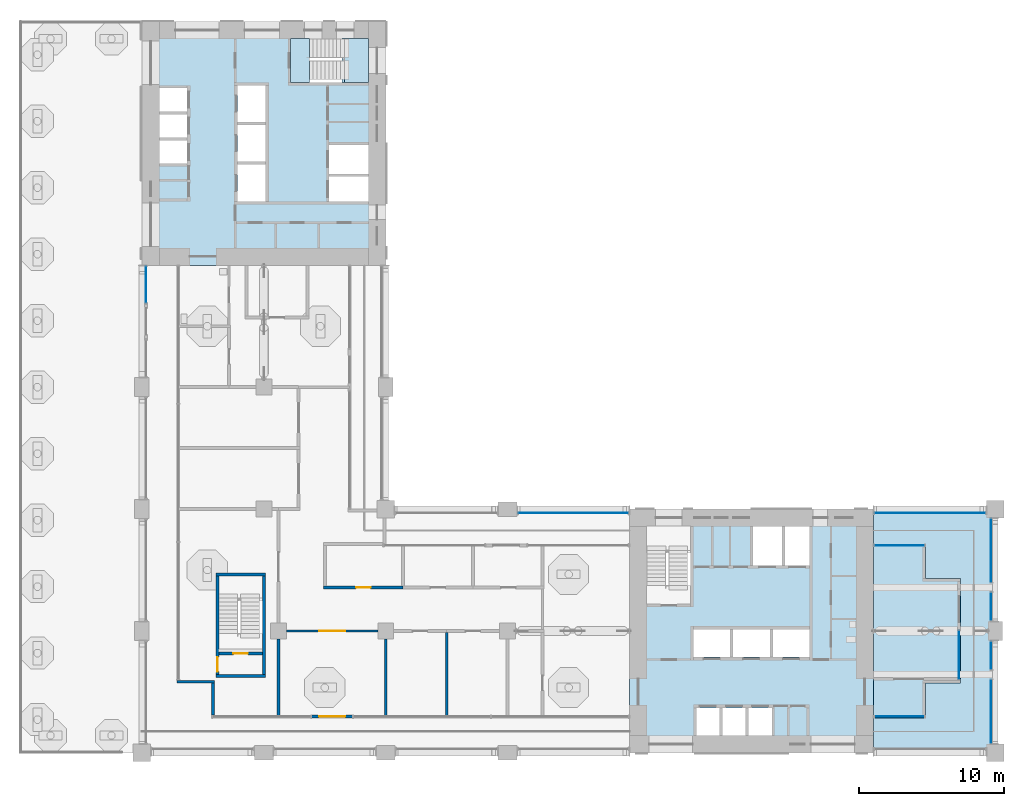
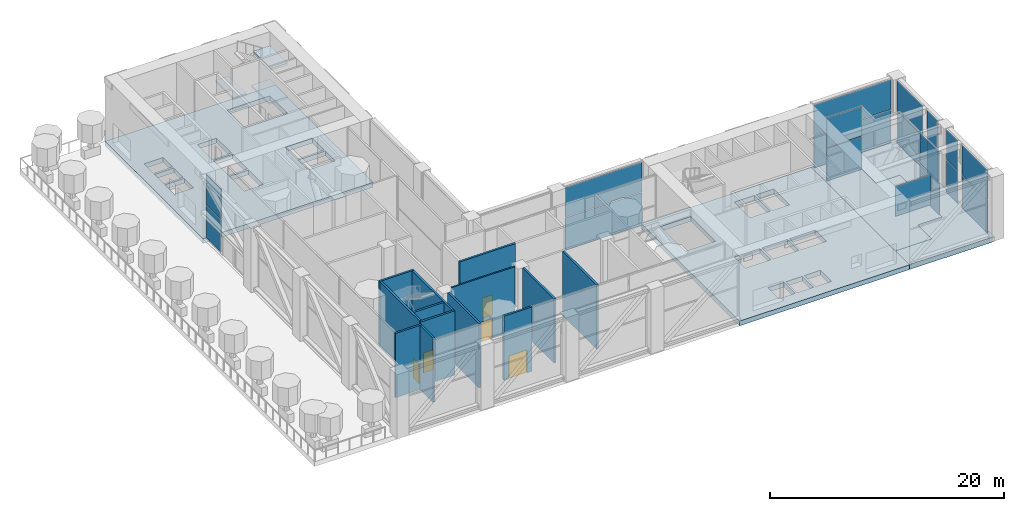
# One storey, part 8 of 22: 19 plates, 13 walls, 7 slabs, 5 doors, 5 openings, 11 elements without a shape of their own.
"""IFC4 building model written with IfcOpenShell, lengths in metres."""

import ifcopenshell
import ifcopenshell.guid

model = None  # the IFC model being written
_history = None  # IfcOwnerHistory: only IFC2X3 demands one
_inside = {}  # id of a spatial element -> (the spatial element, [elements in it])
_under = {}  # id of a project, library or spatial element -> (it, [spatial elements below it])
_declared = {}  # id of a project -> (the project, [libraries it declares])
_typed = {}  # id of a type object -> (the type object, [elements of that type])
_made_of = {}  # id of a material, layer set ... -> (it, [elements and type objects made of it])


def new_model(schema):
    """Start an empty IFC model of exactly this schema.

    Asked for "IFC4X3", IfcOpenShell would pick the latest addendum, in which some entities
    have other attributes; the version numbers below select the first issue.
    IFC2X3 requires an IfcOwnerHistory on every rooted entity: one is made here for all.
    """
    global model, _history
    if schema == "IFC4X3":
        model = ifcopenshell.file(schema_version=(4, 3, 0, 0))
    else:
        model = ifcopenshell.file(schema=schema)
    _inside.clear()
    _under.clear()
    _declared.clear()
    _typed.clear()
    _made_of.clear()
    _history = None
    if model.schema == "IFC2X3":
        org = make("IfcOrganization", Name="unknown")
        user = make(
            "IfcPersonAndOrganization",
            ThePerson=make("IfcPerson", FamilyName="unknown"),
            TheOrganization=org,
        )
        app = make(
            "IfcApplication",
            ApplicationDeveloper=org,
            Version="unknown",
            ApplicationFullName="unknown",
            ApplicationIdentifier="unknown",
        )
        _history = make(
            "IfcOwnerHistory",
            OwningUser=user,
            OwningApplication=app,
            ChangeAction="ADDED",
            CreationDate=0,
        )
    return model


def make(cls, **values):
    """One entity of the class cls with the attributes given. An attribute that is None is left unset."""
    return model.create_entity(
        cls, **{name: value for name, value in values.items() if value is not None}
    )


def rooted(cls, **values):
    """An entity with a GlobalId (a new one), such as an element, a storey or a relation."""
    return make(cls, GlobalId=ifcopenshell.guid.new(), OwnerHistory=_history, **values)


def si_unit(unit_type, name, prefix=None):
    """IfcSIUnit, for example si_unit("LENGTHUNIT", "METRE", prefix="MILLI")."""
    return make("IfcSIUnit", UnitType=unit_type, Prefix=prefix, Name=name)


def assignment(units):
    """IfcUnitAssignment: the units of a project."""
    return None if units is None else make("IfcUnitAssignment", Units=units)


def point(xyz):
    """IfcCartesianPoint."""
    return None if xyz is None else make("IfcCartesianPoint", Coordinates=xyz)


def direction(xyz):
    """IfcDirection."""
    return None if xyz is None else make("IfcDirection", DirectionRatios=xyz)


def frame(location, z_axis=None, x_axis=None):
    """IfcAxis2Placement3D, a coordinate frame: its origin and axes. An axis left out is left unset."""
    return make(
        "IfcAxis2Placement3D",
        Location=point(location),
        Axis=direction(z_axis),
        RefDirection=direction(x_axis),
    )


def frame_2d(location, x_axis=None):
    """IfcAxis2Placement2D, a coordinate frame in the plane: its origin and x axis."""
    return make(
        "IfcAxis2Placement2D", Location=point(location), RefDirection=direction(x_axis)
    )


def origin():
    """The frame at (0, 0, 0) with its axes left unset."""
    return frame((0.0, 0.0, 0.0))


def origin_2d():
    """The frame at (0, 0) in the plane with its x axis left unset."""
    return frame_2d((0.0, 0.0))


def place(relative_to, where):
    """IfcLocalPlacement: puts the frame where relative to a parent placement (None: the world)."""
    return make(
        "IfcLocalPlacement", PlacementRelTo=relative_to, RelativePlacement=where
    )


def context(
    kind, dimensions, precision=None, world=None, true_north=None, identifier=None
):
    """IfcGeometricRepresentationContext, for example the 3D "Model" context."""
    return make(
        "IfcGeometricRepresentationContext",
        ContextIdentifier=identifier,
        ContextType=kind,
        CoordinateSpaceDimension=dimensions,
        Precision=precision,
        WorldCoordinateSystem=world,
        TrueNorth=true_north,
    )


def subcontext(parent, identifier, kind, view, scale=None):
    """IfcGeometricRepresentationSubContext, for example "Body" below "Model"."""
    return make(
        "IfcGeometricRepresentationSubContext",
        ContextIdentifier=identifier,
        ContextType=kind,
        ParentContext=parent,
        TargetScale=scale,
        TargetView=view,
    )


def project(units=None, contexts=None):
    """IfcProject with its units and contexts."""
    return rooted(
        "IfcProject",
        Name="project",
        RepresentationContexts=contexts,
        UnitsInContext=assignment(units),
    )


def spatial(cls, under=None, at=None, **own):
    """A site, building, storey or space (cls), placed at a placement, below another one or the project."""
    s = rooted(cls, ObjectPlacement=at, **own)
    if under is not None:
        _under.setdefault(under.id(), (under, []))[1].append(s)
    return s


def polyline(points):
    """IfcPolyline through the points."""
    return make("IfcPolyline", Points=[point(p) for p in points])


def profile(cls, at=None, kind="AREA", **sizes):
    """A parametric profile (cls). Its sizes go by their IFC names, for example OverallWidth=200.0."""
    return make(cls, ProfileType=kind, Position=at, **sizes)


def rectangle(**sizes):
    """IfcRectangleProfileDef."""
    return profile("IfcRectangleProfileDef", **sizes)


def outline(outer, holes=None, kind="AREA"):
    """IfcArbitraryClosedProfileDef: a profile drawn as a closed curve; with holes, ...WithVoids."""
    if holes is None:
        return make("IfcArbitraryClosedProfileDef", ProfileType=kind, OuterCurve=outer)
    return make(
        "IfcArbitraryProfileDefWithVoids",
        ProfileType=kind,
        OuterCurve=outer,
        InnerCurves=holes,
    )


def extrude(swept, where, along, depth):
    """IfcExtrudedAreaSolid: the profile swept, set in the frame where, extruded along a direction by depth."""
    return make(
        "IfcExtrudedAreaSolid",
        SweptArea=swept,
        Position=where,
        ExtrudedDirection=direction(along),
        Depth=depth,
    )


def shape(context_of_items, identifier, shape_type, items):
    """IfcShapeRepresentation: the items that make up one representation, for example the "Body"."""
    return make(
        "IfcShapeRepresentation",
        ContextOfItems=context_of_items,
        RepresentationIdentifier=identifier,
        RepresentationType=shape_type,
        Items=items,
    )


def material(Name=None, Category=None):
    """IfcMaterial."""
    return make("IfcMaterial", Name=Name, Category=Category)


def layer(
    of_material, thickness, ventilated=None, Name=None, Category=None, Priority=None
):
    """IfcMaterialLayer: one layer of a wall or slab, of a material (None: an air gap)."""
    return make(
        "IfcMaterialLayer",
        Material=of_material,
        LayerThickness=thickness,
        IsVentilated=ventilated,
        Name=Name,
        Category=Category,
        Priority=Priority,
    )


def layer_set(layers, Name=None):
    """IfcMaterialLayerSet."""
    return make("IfcMaterialLayerSet", MaterialLayers=layers, LayerSetName=Name)


def made_of(thing, what):
    """Note that an element or type object is made of a material, layer set ...; save() writes the relation."""
    if what is not None:
        _made_of.setdefault(what.id(), (what, []))[1].append(thing)
    return thing


def type_object(cls, material=None, **own):
    """A type object (cls), such as IfcWallType, which elements share."""
    return made_of(rooted(cls, **own), material)


def element(
    cls,
    number,
    at=None,
    inside=None,
    cuts=None,
    type_object=None,
    material=None,
    context=None,
    identifier="Body",
    shape_type=None,
    held_by="IfcProductDefinitionShape",
    body=None,
    shapes=None,
    **own,
):
    """One element of the class cls, such as IfcWall. Its Tag is "e" and its number.

    at: its placement. inside: the storey or other place that contains it. cuts: it is an
    opening in that element (IfcRelVoidsElement). A single representation is given by context,
    identifier, shape_type and body (its items); several are given by shapes. held_by: the class
    of the entity that holds the representations. save() writes the other relations.
    """
    e = rooted(cls, Tag="e%d" % number, ObjectPlacement=at, **own)
    if body is not None:
        shapes = [shape(context, identifier, shape_type, body)]
    if shapes is not None:
        e.Representation = make(held_by, Representations=shapes)
    if inside is not None:
        _inside.setdefault(inside.id(), (inside, []))[1].append(e)
    if cuts is not None:
        rooted(
            "IfcRelVoidsElement", RelatingBuildingElement=cuts, RelatedOpeningElement=e
        )
    if type_object is not None:
        _typed.setdefault(type_object.id(), (type_object, []))[1].append(e)
    return made_of(e, material)


def fill(opening, filler):
    """IfcRelFillsElement: the door or window that sits in an opening."""
    return rooted(
        "IfcRelFillsElement",
        RelatingOpeningElement=opening,
        RelatedBuildingElement=filler,
    )


def aggregate(whole, parts):
    """IfcRelAggregates: a whole, such as a stair, and the parts it consists of."""
    return rooted("IfcRelAggregates", RelatingObject=whole, RelatedObjects=parts)


def save(model, path):
    """Write the relations noted so far, then the file.

    IfcRelAggregates (storeys below a building ...), IfcRelContainedInSpatialStructure (elements
    in a storey), IfcRelDefinesByType, IfcRelAssociatesMaterial and IfcRelDeclares: one each for
    every whole, place, type object, material and project.
    """
    for whole, parts in _under.values():
        aggregate(whole, parts)
    for where, things in _inside.values():
        rooted(
            "IfcRelContainedInSpatialStructure",
            RelatedElements=things,
            RelatingStructure=where,
        )
    for kind, things in _typed.values():
        rooted("IfcRelDefinesByType", RelatedObjects=things, RelatingType=kind)
    for what, things in _made_of.values():
        rooted("IfcRelAssociatesMaterial", RelatedObjects=things, RelatingMaterial=what)
    for by, libraries in _declared.values():
        rooted("IfcRelDeclares", RelatingContext=by, RelatedDefinitions=libraries)
    model.write(path)


model = new_model("IFC4")

# Units and contexts
model_context = context("Model", 3, precision=1e-05, world=origin(), true_north=direction((0.0, 1.0)))
body_context = subcontext(model_context, "Body", "Model", "MODEL_VIEW")
ifc_project = project(units=[si_unit("LENGTHUNIT", "METRE"), si_unit("AREAUNIT", "SQUARE_METRE"), si_unit("VOLUMEUNIT", "CUBIC_METRE"), si_unit("PLANEANGLEUNIT", "RADIAN"), si_unit("MASSUNIT", "GRAM", prefix="KILO")], contexts=[model_context])

# Site, building, storey
site_placement = place(None, origin())
site = spatial("IfcSite", under=ifc_project, at=site_placement, CompositionType="ELEMENT")
building_placement = place(site_placement, origin())
building = spatial("IfcBuilding", under=site, at=building_placement, Name="Vermilion Gate Residences", CompositionType="ELEMENT")
storey_placement = place(building_placement, frame((0.0, 0.0, 140.699951171875)))
storey = spatial("IfcBuildingStorey", under=building, at=storey_placement, Name="L36", CompositionType="ELEMENT", Elevation=140.699951171875)

# Slabs
ifc_material_1 = material(Name="Concrete C50", Category="concrete")
ifc_layer_1 = layer(ifc_material_1, 0.5)
ifc_layer_set_1 = layer_set([ifc_layer_1], Name="RC CORE FLOOR SLAB 500 C50")
slab_type_1 = type_object("IfcSlabType", Name="RC CORE FLOOR SLAB 500 C50", PredefinedType="FLOOR", material=ifc_layer_set_1)
slab_1_placement = place(storey_placement, frame((0.0, 0.0, -0.5)))
element("IfcSlab", 1, at=slab_1_placement, inside=storey, type_object=slab_type_1, Name="Core floor slab A36", PredefinedType="FLOOR", context=body_context, shape_type="SweptSolid", body=[
    extrude(outline(polyline([(42.0, 8.39990234375), (58.800048828125, 8.39990234375), (58.800048828125, 25.199951171875), (42.0, 25.199951171875), (42.0, 8.39990234375)]), holes=[polyline([(46.60009765625, 11.5), (48.199951171875, 11.5), (48.199951171875, 9.60009765625), (46.60009765625, 9.60009765625), (46.60009765625, 11.5)]), polyline([(48.39990234375, 11.5), (50.0, 11.5), (50.0, 9.60009765625), (48.39990234375, 9.60009765625), (48.39990234375, 11.5)]), polyline([(50.199951171875, 11.5), (51.800048828125, 11.5), (51.800048828125, 9.60009765625), (50.199951171875, 9.60009765625), (50.199951171875, 11.5)]), polyline([(46.39990234375, 16.89990234375), (48.933349609375, 16.89990234375), (48.933349609375, 15.0), (46.39990234375, 15.0), (46.39990234375, 16.89990234375)]), polyline([(49.13330078125, 16.89990234375), (51.666748046875, 16.89990234375), (51.666748046875, 15.0), (49.13330078125, 15.0), (49.13330078125, 16.89990234375)]), polyline([(51.86669921875, 16.89990234375), (54.39990234375, 16.89990234375), (54.39990234375, 15.0), (51.86669921875, 15.0), (51.86669921875, 16.89990234375)]), polyline([(43.199951171875, 24.0), (46.199951171875, 24.0), (46.199951171875, 19.75), (43.199951171875, 19.75), (43.199951171875, 24.0)]), polyline([(52.5, 24.0), (52.5, 21.300048828125), (50.5, 21.300048828125), (50.5, 24.0), (52.5, 24.0)]), polyline([(54.39990234375, 24.0), (54.39990234375, 21.300048828125), (52.699951171875, 21.300048828125), (52.699951171875, 24.0), (54.39990234375, 24.0)])]), origin(), (0.0, 0.0, 1.0), 0.5),
])
slab_2_placement = place(storey_placement, frame((0.0, 0.0, -0.5)))
element("IfcSlab", 2, at=slab_2_placement, inside=storey, type_object=slab_type_1, Name="Core floor slab B36", PredefinedType="FLOOR", context=body_context, shape_type="SweptSolid", body=[
    extrude(outline(polyline([(8.39990234375, 42.0), (25.199951171875, 42.0), (25.199951171875, 58.800048828125), (8.39990234375, 58.800048828125), (8.39990234375, 42.0)]), holes=[polyline([(21.300048828125, 48.10009765625), (24.0, 48.10009765625), (24.0, 46.39990234375), (21.300048828125, 46.39990234375), (21.300048828125, 48.10009765625)]), polyline([(15.0, 48.933349609375), (16.89990234375, 48.933349609375), (16.89990234375, 46.39990234375), (15.0, 46.39990234375), (15.0, 48.933349609375)]), polyline([(21.300048828125, 50.300048828125), (24.0, 50.300048828125), (24.0, 48.300048828125), (21.300048828125, 48.300048828125), (21.300048828125, 50.300048828125)]), polyline([(9.60009765625, 50.60009765625), (11.5, 50.60009765625), (11.5, 49.0), (9.60009765625, 49.0), (9.60009765625, 50.60009765625)]), polyline([(15.0, 51.666748046875), (16.89990234375, 51.666748046875), (16.89990234375, 49.13330078125), (15.0, 49.13330078125), (15.0, 51.666748046875)]), polyline([(9.60009765625, 52.39990234375), (11.5, 52.39990234375), (11.5, 50.800048828125), (9.60009765625, 50.800048828125), (9.60009765625, 52.39990234375)]), polyline([(15.0, 54.39990234375), (16.89990234375, 54.39990234375), (16.89990234375, 51.86669921875), (15.0, 51.86669921875), (15.0, 54.39990234375)]), polyline([(11.5, 54.199951171875), (11.5, 52.60009765625), (9.60009765625, 52.60009765625), (9.60009765625, 54.199951171875), (11.5, 54.199951171875)]), polyline([(24.0, 57.60009765625), (24.0, 54.60009765625), (19.75, 54.60009765625), (19.75, 57.60009765625), (24.0, 57.60009765625)])]), origin(), (0.0, 0.0, 1.0), 0.5),
])
ifc_material_2 = material(Name="Concrete C60 red-oxide pigmented", Category="concrete")
ifc_layer_2 = layer(ifc_material_2, 0.5)
ifc_layer_set_2 = layer_set([ifc_layer_2], Name="RC LOGGIA SLAB 500 C60")
slab_type_2 = type_object("IfcSlabType", Name="RC LOGGIA SLAB 500 C60", PredefinedType="FLOOR", material=ifc_layer_set_2)
slab_3_placement = place(storey_placement, frame((0.0, 0.0, -0.5)))
element("IfcSlab", 3, at=slab_3_placement, inside=storey, type_object=slab_type_2, Name="Loggia slab L36", PredefinedType="FLOOR", context=body_context, shape_type="SweptSolid", body=[
    extrude(outline(polyline([(64.800048828125, 13.199951171875), (62.39990234375, 13.199951171875), (62.39990234375, 10.800048828125), (58.800048828125, 10.800048828125), (58.800048828125, 8.39990234375), (67.199951171875, 8.39990234375), (67.199951171875, 25.199951171875), (58.800048828125, 25.199951171875), (58.800048828125, 22.800048828125), (62.39990234375, 22.800048828125), (62.39990234375, 20.39990234375), (64.800048828125, 20.39990234375), (64.800048828125, 13.199951171875)])), origin(), (0.0, 0.0, 1.0), 0.5),
])
ifc_material_3 = material(Name="Concrete C60", Category="concrete")
ifc_layer_3 = layer(ifc_material_3, 0.5)
ifc_layer_set_3 = layer_set([ifc_layer_3], Name="RC SKY FLOOR SLAB 500 C60")
slab_type_3 = type_object("IfcSlabType", Name="RC SKY FLOOR SLAB 500 C60", PredefinedType="FLOOR", material=ifc_layer_set_3)
slab_4_placement = place(storey_placement, frame((0.0, 0.0, -0.5)))
element("IfcSlab", 4, at=slab_4_placement, inside=storey, type_object=slab_type_3, Name="Floor slab L36", PredefinedType="FLOOR", context=body_context, shape_type="SweptSolid", body=[
    extrude(outline(polyline([(58.800048828125, 22.800048828125), (58.800048828125, 10.800048828125), (62.39990234375, 10.800048828125), (62.39990234375, 13.199951171875), (64.800048828125, 13.199951171875), (64.800048828125, 20.39990234375), (62.39990234375, 20.39990234375), (62.39990234375, 22.800048828125), (58.800048828125, 22.800048828125)])), origin(), (0.0, 0.0, 1.0), 0.5),
])

# Curtain wall, plate
ifc_material_4 = material(Name="Aluminium and glass", Category="aluminium")
curtain_wall_type = type_object("IfcCurtainWallType", Name="SKY GARDEN GLAZING CURTAIN WALL", PredefinedType="NOTDEFINED", material=ifc_material_4)
curtain_wall_1_placement = place(storey_placement, origin())
curtain_wall_1 = element("IfcCurtainWall", 5, at=curtain_wall_1_placement, inside=storey, type_object=curtain_wall_type, Name="Sky Garden Glazing 40", PredefinedType="NOTDEFINED")
ifc_material_5 = material(Name="Clear laminated glass", Category="glass")
ifc_layer_4 = layer(ifc_material_5, 0.035888671875)
ifc_layer_set_4 = layer_set([ifc_layer_4], Name="SKY GARDEN GLAZING GLASS PANEL 36")
plate_type = type_object("IfcPlateType", Name="SKY GARDEN GLAZING GLASS PANEL 36", PredefinedType="CURTAIN_PANEL", material=ifc_layer_set_4)
plate_1_placement = place(storey_placement, frame((60.60009765625, 10.89990234375, 3.5400390625), z_axis=(0.0, 0.0, 1.0), x_axis=(1.0, 0.0, 0.0)))
plate_1 = element("IfcPlate", 6, at=plate_1_placement, type_object=plate_type, Name="ECW3 panel 1.2", PredefinedType="CURTAIN_PANEL", context=body_context, shape_type="SweptSolid", body=[
    extrude(rectangle(XDim=3.43994140625, YDim=0.035888671875, at=origin_2d()), origin(), (0.0, 0.0, 1.0), 3.10009765625),
])
aggregate(curtain_wall_1, [plate_1])

# Curtain wall, plates
curtain_wall_2_placement = place(storey_placement, origin())
curtain_wall_2 = element("IfcCurtainWall", 7, at=curtain_wall_2_placement, inside=storey, type_object=curtain_wall_type, Name="Sky Garden Glazing 70", PredefinedType="NOTDEFINED")
plate_2_placement = place(storey_placement, frame((64.699951171875, 15.14990234375, 0.080078125), z_axis=(0.0, 0.0, 1.0), x_axis=(0.0, 1.0, 0.0)))
plate_2 = element("IfcPlate", 8, at=plate_2_placement, type_object=plate_type, Name="ECW3 panel 1.1", PredefinedType="CURTAIN_PANEL", context=body_context, shape_type="SweptSolid", body=[
    extrude(rectangle(XDim=3.340087890625, YDim=0.035888671875, at=origin_2d()), origin(), (0.0, 0.0, 1.0), 3.3798828125),
])
plate_3_placement = place(storey_placement, frame((64.699951171875, 15.14990234375, 3.5400390625), z_axis=(0.0, 0.0, 1.0), x_axis=(0.0, 1.0, 0.0)))
plate_3 = element("IfcPlate", 9, at=plate_3_placement, type_object=plate_type, Name="ECW3 panel 1.2", PredefinedType="CURTAIN_PANEL", context=body_context, shape_type="SweptSolid", body=[
    extrude(rectangle(XDim=3.340087890625, YDim=0.035888671875, at=origin_2d()), origin(), (0.0, 0.0, 1.0), 3.10009765625),
])
aggregate(curtain_wall_2, [plate_2, plate_3])

curtain_wall_3_placement = place(storey_placement, origin())
curtain_wall_3 = element("IfcCurtainWall", 10, at=curtain_wall_3_placement, inside=storey, type_object=curtain_wall_type, Name="Sky Garden Glazing 100", PredefinedType="NOTDEFINED")
plate_4_placement = place(storey_placement, frame((60.60009765625, 22.699951171875, 0.080078125), z_axis=(0.0, 0.0, 1.0), x_axis=(-1.0, 0.0, 0.0)))
plate_4 = element("IfcPlate", 11, at=plate_4_placement, type_object=plate_type, Name="ECW3 panel 1.1", PredefinedType="CURTAIN_PANEL", context=body_context, shape_type="SweptSolid", body=[
    extrude(rectangle(XDim=3.43994140625, YDim=0.035888671875, at=origin_2d()), origin(), (0.0, 0.0, 1.0), 3.3798828125),
])
plate_5_placement = place(storey_placement, frame((60.60009765625, 22.699951171875, 3.5400390625), z_axis=(0.0, 0.0, 1.0), x_axis=(-1.0, 0.0, 0.0)))
plate_5 = element("IfcPlate", 12, at=plate_5_placement, type_object=plate_type, Name="ECW3 panel 1.2", PredefinedType="CURTAIN_PANEL", context=body_context, shape_type="SweptSolid", body=[
    extrude(rectangle(XDim=3.43994140625, YDim=0.035888671875, at=origin_2d()), origin(), (0.0, 0.0, 1.0), 3.10009765625),
])
aggregate(curtain_wall_3, [plate_4, plate_5])

curtain_wall_4_placement = place(storey_placement, origin())
curtain_wall_4 = element("IfcCurtainWall", 13, at=curtain_wall_4_placement, inside=storey, type_object=curtain_wall_type, Name="Sky Garden Glazing 700", PredefinedType="NOTDEFINED")
plate_6_placement = place(storey_placement, frame((8.679931640625, 40.66259765625, 0.080078125), z_axis=(0.0, 0.0, 1.0), x_axis=(0.0, -1.0, 0.0)))
plate_6 = element("IfcPlate", 14, at=plate_6_placement, type_object=plate_type, Name="ECW3 panel 1.1", PredefinedType="CURTAIN_PANEL", context=body_context, shape_type="SweptSolid", body=[
    extrude(rectangle(XDim=2.514892578125, YDim=0.035888671875, at=origin_2d()), origin(), (0.0, 0.0, 1.0), 3.3798828125),
])
plate_7_placement = place(storey_placement, frame((8.679931640625, 40.66259765625, 3.5400390625), z_axis=(0.0, 0.0, 1.0), x_axis=(0.0, -1.0, 0.0)))
plate_7 = element("IfcPlate", 15, at=plate_7_placement, type_object=plate_type, Name="ECW3 panel 1.2", PredefinedType="CURTAIN_PANEL", context=body_context, shape_type="SweptSolid", body=[
    extrude(rectangle(XDim=2.514892578125, YDim=0.035888671875, at=origin_2d()), origin(), (0.0, 0.0, 1.0), 3.10009765625),
])
aggregate(curtain_wall_4, [plate_6, plate_7])

curtain_wall_5_placement = place(storey_placement, origin())
curtain_wall_5 = element("IfcCurtainWall", 16, at=curtain_wall_5_placement, inside=storey, type_object=curtain_wall_type, Name="Sky Garden Glazing 509", PredefinedType="NOTDEFINED")
plate_8_placement = place(storey_placement, frame((66.919921875, 11.262451171875, 0.080078125), z_axis=(0.0, 0.0, 1.0), x_axis=(0.0, 1.0, 0.0)))
plate_8 = element("IfcPlate", 17, at=plate_8_placement, type_object=plate_type, Name="ECW3 panel 1.1", PredefinedType="CURTAIN_PANEL", context=body_context, shape_type="SweptSolid", body=[
    extrude(rectangle(XDim=4.364990234375, YDim=0.035888671875, at=origin_2d()), origin(), (0.0, 0.0, 1.0), 3.3798828125),
])
plate_9_placement = place(storey_placement, frame((66.919921875, 11.262451171875, 3.5400390625), z_axis=(0.0, 0.0, 1.0), x_axis=(0.0, 1.0, 0.0)))
plate_9 = element("IfcPlate", 18, at=plate_9_placement, type_object=plate_type, Name="ECW3 panel 1.2", PredefinedType="CURTAIN_PANEL", context=body_context, shape_type="SweptSolid", body=[
    extrude(rectangle(XDim=4.364990234375, YDim=0.035888671875, at=origin_2d()), origin(), (0.0, 0.0, 1.0), 3.10009765625),
])
aggregate(curtain_wall_5, [plate_8, plate_9])

curtain_wall_6_placement = place(storey_placement, origin())
curtain_wall_6 = element("IfcCurtainWall", 19, at=curtain_wall_6_placement, inside=storey, type_object=curtain_wall_type, Name="Sky Garden Glazing 510", PredefinedType="NOTDEFINED")
plate_10_placement = place(storey_placement, frame((66.919921875, 15.112548828125, 0.080078125), z_axis=(0.0, 0.0, 1.0), x_axis=(0.0, 1.0, 0.0)))
plate_10 = element("IfcPlate", 20, at=plate_10_placement, type_object=plate_type, Name="ECW3 panel 1.1", PredefinedType="CURTAIN_PANEL", context=body_context, shape_type="SweptSolid", body=[
    extrude(rectangle(XDim=1.9150390625, YDim=0.035888671875, at=origin_2d()), origin(), (0.0, 0.0, 1.0), 3.3798828125),
])
plate_11_placement = place(storey_placement, frame((66.919921875, 15.112548828125, 3.5400390625), z_axis=(0.0, 0.0, 1.0), x_axis=(0.0, 1.0, 0.0)))
plate_11 = element("IfcPlate", 21, at=plate_11_placement, type_object=plate_type, Name="ECW3 panel 1.2", PredefinedType="CURTAIN_PANEL", context=body_context, shape_type="SweptSolid", body=[
    extrude(rectangle(XDim=1.9150390625, YDim=0.035888671875, at=origin_2d()), origin(), (0.0, 0.0, 1.0), 3.10009765625),
])
aggregate(curtain_wall_6, [plate_10, plate_11])

curtain_wall_7_placement = place(storey_placement, origin())
curtain_wall_7 = element("IfcCurtainWall", 22, at=curtain_wall_7_placement, inside=storey, type_object=curtain_wall_type, Name="Sky Garden Glazing 511", PredefinedType="NOTDEFINED")
plate_12_placement = place(storey_placement, frame((66.919921875, 18.487548828125, 0.080078125), z_axis=(0.0, 0.0, 1.0), x_axis=(0.0, 1.0, 0.0)))
plate_12 = element("IfcPlate", 23, at=plate_12_placement, type_object=plate_type, Name="ECW3 panel 1.1", PredefinedType="CURTAIN_PANEL", context=body_context, shape_type="SweptSolid", body=[
    extrude(rectangle(XDim=1.9150390625, YDim=0.035888671875, at=origin_2d()), origin(), (0.0, 0.0, 1.0), 3.3798828125),
])
plate_13_placement = place(storey_placement, frame((66.919921875, 18.487548828125, 3.5400390625), z_axis=(0.0, 0.0, 1.0), x_axis=(0.0, 1.0, 0.0)))
plate_13 = element("IfcPlate", 24, at=plate_13_placement, type_object=plate_type, Name="ECW3 panel 1.2", PredefinedType="CURTAIN_PANEL", context=body_context, shape_type="SweptSolid", body=[
    extrude(rectangle(XDim=1.9150390625, YDim=0.035888671875, at=origin_2d()), origin(), (0.0, 0.0, 1.0), 3.10009765625),
])
aggregate(curtain_wall_7, [plate_12, plate_13])

curtain_wall_8_placement = place(storey_placement, origin())
curtain_wall_8 = element("IfcCurtainWall", 25, at=curtain_wall_8_placement, inside=storey, type_object=curtain_wall_type, Name="Sky Garden Glazing 512", PredefinedType="NOTDEFINED")
plate_14_placement = place(storey_placement, frame((66.919921875, 22.33740234375, 0.080078125), z_axis=(0.0, 0.0, 1.0), x_axis=(0.0, 1.0, 0.0)))
plate_14 = element("IfcPlate", 26, at=plate_14_placement, type_object=plate_type, Name="ECW3 panel 1.1", PredefinedType="CURTAIN_PANEL", context=body_context, shape_type="SweptSolid", body=[
    extrude(rectangle(XDim=4.364990234375, YDim=0.035888671875, at=origin_2d()), origin(), (0.0, 0.0, 1.0), 3.3798828125),
])
plate_15_placement = place(storey_placement, frame((66.919921875, 22.33740234375, 3.5400390625), z_axis=(0.0, 0.0, 1.0), x_axis=(0.0, 1.0, 0.0)))
plate_15 = element("IfcPlate", 27, at=plate_15_placement, type_object=plate_type, Name="ECW3 panel 1.2", PredefinedType="CURTAIN_PANEL", context=body_context, shape_type="SweptSolid", body=[
    extrude(rectangle(XDim=4.364990234375, YDim=0.035888671875, at=origin_2d()), origin(), (0.0, 0.0, 1.0), 3.10009765625),
])
aggregate(curtain_wall_8, [plate_14, plate_15])

curtain_wall_9_placement = place(storey_placement, origin())
curtain_wall_9 = element("IfcCurtainWall", 28, at=curtain_wall_9_placement, inside=storey, type_object=curtain_wall_type, Name="Sky Garden Glazing 513", PredefinedType="NOTDEFINED")
plate_16_placement = place(storey_placement, frame((62.699951171875, 24.919921875, 0.080078125), z_axis=(0.0, 0.0, 1.0), x_axis=(-1.0, 0.0, 0.0)))
plate_16 = element("IfcPlate", 29, at=plate_16_placement, type_object=plate_type, Name="ECW3 panel 1.1", PredefinedType="CURTAIN_PANEL", context=body_context, shape_type="SweptSolid", body=[
    extrude(rectangle(XDim=7.639892578125, YDim=0.035888671875, at=origin_2d()), origin(), (0.0, 0.0, 1.0), 3.3798828125),
])
plate_17_placement = place(storey_placement, frame((62.699951171875, 24.919921875, 3.5400390625), z_axis=(0.0, 0.0, 1.0), x_axis=(-1.0, 0.0, 0.0)))
plate_17 = element("IfcPlate", 30, at=plate_17_placement, type_object=plate_type, Name="ECW3 panel 1.2", PredefinedType="CURTAIN_PANEL", context=body_context, shape_type="SweptSolid", body=[
    extrude(rectangle(XDim=7.639892578125, YDim=0.035888671875, at=origin_2d()), origin(), (0.0, 0.0, 1.0), 3.10009765625),
])
aggregate(curtain_wall_9, [plate_16, plate_17])

curtain_wall_10_placement = place(storey_placement, origin())
curtain_wall_10 = element("IfcCurtainWall", 31, at=curtain_wall_10_placement, inside=storey, type_object=curtain_wall_type, Name="Sky Garden Glazing 514", PredefinedType="NOTDEFINED")
plate_18_placement = place(storey_placement, frame((38.125, 24.919921875, 0.080078125), z_axis=(0.0, 0.0, 1.0), x_axis=(-1.0, 0.0, 0.0)))
plate_18 = element("IfcPlate", 32, at=plate_18_placement, type_object=plate_type, Name="ECW3 panel 1.1", PredefinedType="CURTAIN_PANEL", context=body_context, shape_type="SweptSolid", body=[
    extrude(rectangle(XDim=7.590087890625, YDim=0.035888671875, at=origin_2d()), origin(), (0.0, 0.0, 1.0), 3.3798828125),
])
plate_19_placement = place(storey_placement, frame((38.125, 24.919921875, 3.5400390625), z_axis=(0.0, 0.0, 1.0), x_axis=(-1.0, 0.0, 0.0)))
plate_19 = element("IfcPlate", 33, at=plate_19_placement, type_object=plate_type, Name="ECW3 panel 1.2", PredefinedType="CURTAIN_PANEL", context=body_context, shape_type="SweptSolid", body=[
    extrude(rectangle(XDim=7.590087890625, YDim=0.035888671875, at=origin_2d()), origin(), (0.0, 0.0, 1.0), 3.10009765625),
])
aggregate(curtain_wall_10, [plate_18, plate_19])

# Stair, slabs
ifc_material_6 = material(Name="Concrete C50", Category="concrete")
stair_type = type_object("IfcStairType", Name="SPECIAL ESCAPE STAIR 1300", PredefinedType="HALF_TURN_STAIR", material=ifc_material_6)
stair_placement = place(storey_placement, origin())
stair = element("IfcStair", 34, at=stair_placement, inside=storey, type_object=stair_type, Name="Special escape stair STB1-36", PredefinedType="HALF_TURN_STAIR")
ifc_material_7 = material(Name="Concrete C50", Category="concrete")
ifc_layer_5 = layer(ifc_material_7, 0.199951171875)
ifc_layer_set_5 = layer_set([ifc_layer_5], Name="STAIR LANDING 200 C50")
slab_type_4 = type_object("IfcSlabType", Name="STAIR LANDING 200 C50", PredefinedType="LANDING", material=ifc_layer_set_5)
slab_5_placement = place(storey_placement, frame((0.0, 0.0, 1.550048828125)))
slab_5 = element("IfcSlab", 35, at=slab_5_placement, type_object=slab_type_4, Name="STB1-36 landing 1", PredefinedType="LANDING", context=body_context, shape_type="SweptSolid", body=[
    extrude(outline(polyline([(24.02001953125, 54.580078125), (24.02001953125, 57.6201171875), (22.179931640625, 57.6201171875), (22.179931640625, 54.580078125), (24.02001953125, 54.580078125)])), origin(), (0.0, 0.0, 1.0), 0.199951171875),
])
slab_6_placement = place(storey_placement, frame((0.0, 0.0, 3.300048828125)))
slab_6 = element("IfcSlab", 36, at=slab_6_placement, type_object=slab_type_4, Name="STB1-36 landing 2", PredefinedType="LANDING", context=body_context, shape_type="SweptSolid", body=[
    extrude(outline(polyline([(19.929931640625, 54.580078125), (19.929931640625, 57.6201171875), (18.6298828125, 57.6201171875), (18.6298828125, 54.580078125), (19.929931640625, 54.580078125)])), origin(), (0.0, 0.0, 1.0), 0.199951171875),
])
slab_7_placement = place(storey_placement, frame((0.0, 0.0, 5.050048828125)))
slab_7 = element("IfcSlab", 37, at=slab_7_placement, type_object=slab_type_4, Name="STB1-36 landing 3", PredefinedType="LANDING", context=body_context, shape_type="SweptSolid", body=[
    extrude(outline(polyline([(24.02001953125, 54.580078125), (24.02001953125, 57.6201171875), (22.360107421875, 57.6201171875), (22.360107421875, 54.580078125), (24.02001953125, 54.580078125)])), origin(), (0.0, 0.0, 1.0), 0.199951171875),
])
aggregate(stair, [slab_5, slab_6, slab_7])

# Walls
ifc_material_8 = material(Name="Insulated steel stud wall with terracotta rainscreen", Category="masonry")
ifc_layer_6 = layer(ifc_material_8, 0.199951171875)
ifc_layer_set_6 = layer_set([ifc_layer_6], Name="EXTERNAL WALL 200 TERRACOTTA RAINSCREEN")
wall_type_1 = type_object("IfcWallType", Name="EXTERNAL WALL 200 TERRACOTTA RAINSCREEN", PredefinedType="SOLIDWALL", material=ifc_layer_set_6)
wall_1_placement = place(storey_placement, frame((10.800048828125, 13.300048828125, 0.0), z_axis=(0.0, 0.0, 1.0), x_axis=(1.0, 0.0, 0.0)))
element("IfcWall", 38, at=wall_1_placement, inside=storey, type_object=wall_type_1, Name="External wall", PredefinedType="SOLIDWALL", context=body_context, shape_type="SweptSolid", body=[
    extrude(rectangle(XDim=2.599853515625, YDim=0.199951171875, at=frame_2d((1.2998046875, 0.0))), origin(), (0.0, 0.0, 1.0), 6.719970703125),
])
wall_2_placement = place(storey_placement, frame((13.300048828125, 13.199951171875, 0.0), z_axis=(0.0, 0.0, 1.0), x_axis=(0.0, -1.0, 0.0)))
element("IfcWall", 39, at=wall_2_placement, inside=storey, type_object=wall_type_1, Name="External wall", PredefinedType="SOLIDWALL", context=body_context, shape_type="SweptSolid", body=[
    extrude(rectangle(XDim=2.199951171875, YDim=0.199951171875, at=frame_2d((1.10009765625, 0.0))), origin(), (0.0, 0.0, 1.0), 6.719970703125),
])

# Wall, opening, door
wall_3_placement = place(storey_placement, frame((20.10009765625, 10.89990234375, 0.0), z_axis=(0.0, 0.0, 1.0), x_axis=(1.0, 0.0, 0.0)))
wall_3 = element("IfcWall", 40, at=wall_3_placement, inside=storey, type_object=wall_type_1, Name="External wall", PredefinedType="SOLIDWALL", context=body_context, shape_type="SweptSolid", body=[
    extrude(rectangle(XDim=2.7998046875, YDim=0.199951171875, at=frame_2d((1.39990234375, 0.0))), origin(), (0.0, 0.0, 1.0), 6.719970703125),
])
opening_1_placement = place(wall_3_placement, frame((0.5, 0.0, 0.0)))
opening_1 = element("IfcOpeningElement", 41, at=opening_1_placement, cuts=wall_3, Name="Opening DE36001", PredefinedType="OPENING", context=body_context, shape_type="SweptSolid", body=[
    extrude(rectangle(XDim=1.800048828125, YDim=2.39990234375, at=frame_2d((0.89990234375, 1.199951171875))), frame((0.0, 0.10986328125, 0.0), z_axis=(0.0, -1.0, 0.0), x_axis=(1.0, 0.0, 0.0)), (0.0, 0.0, 1.0), 0.219970703125),
])
ifc_material_9 = material(Name="Aluminium and clear glass", Category="aluminium")
door_type_1 = type_object("IfcDoorType", Name="GLAZED EXTERNAL DOOR 1800 X 2400", OperationType="DOUBLE_DOOR_SINGLE_SWING", PredefinedType="DOOR", material=ifc_material_9)
door_1_placement = place(opening_1_placement, frame((1.800048828125, 0.0, 0.0), z_axis=(0.0, 0.0, 1.0), x_axis=(-1.0, 0.0, 0.0)))
door_1 = element("IfcDoor", 42, at=door_1_placement, inside=storey, type_object=door_type_1, Name="Terrace door", OperationType="DOUBLE_DOOR_SINGLE_SWING", OverallHeight=2.39990234375, OverallWidth=1.800048828125, PredefinedType="DOOR", context=body_context, shape_type="SweptSolid", body=[
    extrude(rectangle(XDim=1.800048828125, YDim=2.39990234375, at=frame_2d((0.89990234375, 1.199951171875))), frame((0.0, 0.02490234375, 0.0), z_axis=(0.0, -1.0, 0.0), x_axis=(1.0, 0.0, 0.0)), (0.0, 0.0, 1.0), 0.050048828125),
])
fill(opening_1, door_1)

# Wall
ifc_material_10 = material(Name="Concrete blockwork", Category="masonry")
ifc_layer_7 = layer(ifc_material_10, 0.199951171875)
ifc_layer_set_7 = layer_set([ifc_layer_7], Name="FIRE WALL 200 EI 120 (AMENITY)")
wall_type_2 = type_object("IfcWallType", Name="FIRE WALL 200 EI 120 (AMENITY)", PredefinedType="PARTITIONING", material=ifc_layer_set_7)
wall_4_placement = place(storey_placement, frame((17.800048828125, 10.89990234375, 0.0), z_axis=(0.0, 0.0, 1.0), x_axis=(0.0, 1.0, 0.0)))
element("IfcWall", 43, at=wall_4_placement, inside=storey, type_object=wall_type_2, Name="Fire-resisting wall 12", PredefinedType="PARTITIONING", context=body_context, shape_type="SweptSolid", body=[
    extrude(rectangle(XDim=5.35009765625, YDim=0.199951171875, at=frame_2d((2.675048828125, 0.0))), origin(), (0.0, 0.0, 1.0), 6.719970703125),
])

# Wall, opening, door
wall_5_placement = place(storey_placement, frame((20.89990234375, 19.800048828125, 0.0), z_axis=(0.0, 0.0, 1.0), x_axis=(1.0, 0.0, 0.0)))
wall_5 = element("IfcWall", 44, at=wall_5_placement, inside=storey, type_object=wall_type_2, Name="Fire-resisting wall 21", PredefinedType="PARTITIONING", context=body_context, shape_type="SweptSolid", body=[
    extrude(rectangle(XDim=5.5, YDim=0.199951171875, at=frame_2d((2.75, 0.0))), origin(), (0.0, 0.0, 1.0), 6.719970703125),
])
opening_2_placement = place(wall_5_placement, frame((2.25, 0.0, 0.0)))
opening_2 = element("IfcOpeningElement", 45, at=opening_2_placement, cuts=wall_5, Name="Opening DM36011", PredefinedType="OPENING", context=body_context, shape_type="SweptSolid", body=[
    extrude(rectangle(XDim=1.0, YDim=2.10009765625, at=frame_2d((0.5, 1.050048828125))), frame((0.0, 0.10986328125, 0.0), z_axis=(0.0, -1.0, 0.0), x_axis=(1.0, 0.0, 0.0)), (0.0, 0.0, 1.0), 0.219970703125),
])
ifc_material_11 = material(Name="Steel", Category="steel")
door_type_2 = type_object("IfcDoorType", Name="DOOR 1000 X 2100 FD60 (AMENITY)", OperationType="SINGLE_SWING_LEFT", PredefinedType="DOOR", material=ifc_material_11)
door_2_placement = place(opening_2_placement, frame((1.0, 0.0, 0.0), z_axis=(0.0, 0.0, 1.0), x_axis=(-1.0, 0.0, 0.0)))
door_2 = element("IfcDoor", 46, at=door_2_placement, inside=storey, type_object=door_type_2, Name="Door L36 11", OperationType="SINGLE_SWING_RIGHT", OverallHeight=2.10009765625, OverallWidth=1.0, PredefinedType="DOOR", context=body_context, shape_type="SweptSolid", body=[
    extrude(rectangle(XDim=1.0, YDim=2.10009765625, at=frame_2d((0.5, 1.050048828125))), frame((0.0, 0.02490234375, 0.0), z_axis=(0.0, -1.0, 0.0), x_axis=(1.0, 0.0, 0.0)), (0.0, 0.0, 1.0), 0.050048828125),
])
fill(opening_2, door_2)

# Walls
wall_6_placement = place(storey_placement, frame((25.199951171875, 10.89990234375, 0.0), z_axis=(0.0, 0.0, 1.0), x_axis=(0.0, 1.0, 0.0)))
element("IfcWall", 47, at=wall_6_placement, inside=storey, type_object=wall_type_2, Name="Fire-resisting wall 23", PredefinedType="PARTITIONING", context=body_context, shape_type="SweptSolid", body=[
    extrude(rectangle(XDim=5.35009765625, YDim=0.199951171875, at=frame_2d((2.675048828125, 0.0))), origin(), (0.0, 0.0, 1.0), 6.719970703125),
])
wall_7_placement = place(storey_placement, frame((29.39990234375, 10.89990234375, 0.0), z_axis=(0.0, 0.0, 1.0), x_axis=(0.0, 1.0, 0.0)))
element("IfcWall", 48, at=wall_7_placement, inside=storey, type_object=wall_type_2, Name="Fire-resisting wall 27", PredefinedType="PARTITIONING", context=body_context, shape_type="SweptSolid", body=[
    extrude(rectangle(XDim=5.800048828125, YDim=0.199951171875, at=frame_2d((2.89990234375, 0.0))), origin(), (0.0, 0.0, 1.0), 6.719970703125),
])

# Wall, opening, door
ifc_material_12 = material(Name="Gypsum board on steel studs", Category="steel")
ifc_layer_8 = layer(ifc_material_12, 0.14990234375)
ifc_layer_set_8 = layer_set([ifc_layer_8], Name="PARTITION 150 EI 60 (AMENITY)")
wall_type_3 = type_object("IfcWallType", Name="PARTITION 150 EI 60 (AMENITY)", PredefinedType="PARTITIONING", material=ifc_layer_set_8)
wall_8_placement = place(storey_placement, frame((18.35009765625, 16.800048828125, 0.0), z_axis=(0.0, 0.0, 1.0), x_axis=(1.0, 0.0, 0.0)))
wall_8 = element("IfcWall", 49, at=wall_8_placement, inside=storey, type_object=wall_type_3, Name="Partition 14", PredefinedType="PARTITIONING", context=body_context, shape_type="SweptSolid", body=[
    extrude(rectangle(XDim=6.2998046875, YDim=0.14990234375, at=frame_2d((3.14990234375, 0.0))), origin(), (0.0, 0.0, 1.0), 6.719970703125),
])
opening_3_placement = place(wall_8_placement, frame((2.25, 0.0, 0.0)))
opening_3 = element("IfcOpeningElement", 50, at=opening_3_placement, cuts=wall_8, Name="Opening DM36002", PredefinedType="OPENING", context=body_context, shape_type="SweptSolid", body=[
    extrude(rectangle(XDim=1.800048828125, YDim=2.10009765625, at=frame_2d((0.89990234375, 1.050048828125))), frame((0.0, 0.0849609375, 0.0), z_axis=(0.0, -1.0, 0.0), x_axis=(1.0, 0.0, 0.0)), (0.0, 0.0, 1.0), 0.169921875),
])
ifc_material_13 = material(Name="Steel", Category="steel")
door_type_3 = type_object("IfcDoorType", Name="DOUBLE DOOR 1800 X 2100 FD30 (AMENITY)", OperationType="DOUBLE_DOOR_SINGLE_SWING", PredefinedType="DOOR", material=ifc_material_13)
door_3_placement = place(opening_3_placement, frame((1.800048828125, 0.0, 0.0), z_axis=(0.0, 0.0, 1.0), x_axis=(-1.0, 0.0, 0.0)))
door_3 = element("IfcDoor", 51, at=door_3_placement, inside=storey, type_object=door_type_3, Name="Door L36 2", OperationType="DOUBLE_DOOR_SINGLE_SWING", OverallHeight=2.10009765625, OverallWidth=1.800048828125, PredefinedType="DOOR", context=body_context, shape_type="SweptSolid", body=[
    extrude(rectangle(XDim=1.800048828125, YDim=2.10009765625, at=frame_2d((0.89990234375, 1.050048828125))), frame((0.0, 0.02490234375, 0.0), z_axis=(0.0, -1.0, 0.0), x_axis=(1.0, 0.0, 0.0)), (0.0, 0.0, 1.0), 0.050048828125),
])
fill(opening_3, door_3)

ifc_material_14 = material(Name="Concrete C60", Category="concrete")
ifc_layer_9 = layer(ifc_material_14, 0.199951171875)
ifc_layer_set_9 = layer_set([ifc_layer_9], Name="RC CORE INTERNAL WALL 200 C60")
wall_type_4 = type_object("IfcWallType", Name="RC CORE INTERNAL WALL 200 C60", PredefinedType="SHEAR", material=ifc_layer_set_9)
wall_9_placement = place(storey_placement, frame((13.60009765625, 13.800048828125, 0.0), z_axis=(0.0, 0.0, 1.0), x_axis=(0.0, 1.0, 0.0)))
wall_9 = element("IfcWall", 52, at=wall_9_placement, inside=storey, type_object=wall_type_4, Name="Core internal wall C36-W", PredefinedType="SHEAR", context=body_context, shape_type="SweptSolid", body=[
    extrude(rectangle(XDim=6.800048828125, YDim=0.199951171875, at=frame_2d((3.39990234375, 0.0))), origin(), (0.0, 0.0, 1.0), 6.719970703125),
])
opening_4_placement = place(wall_9_placement, frame((0.199951171875, 0.0, 0.0)))
opening_4 = element("IfcOpeningElement", 53, at=opening_4_placement, cuts=wall_9, Name="Opening DK36201", PredefinedType="OPENING", context=body_context, shape_type="SweptSolid", body=[
    extrude(rectangle(XDim=1.0, YDim=2.10009765625, at=frame_2d((0.5, 1.050048828125))), frame((0.0, 0.10986328125, 0.0), z_axis=(0.0, -1.0, 0.0), x_axis=(1.0, 0.0, 0.0)), (0.0, 0.0, 1.0), 0.219970703125),
])
ifc_material_15 = material(Name="Steel", Category="steel")
door_type_4 = type_object("IfcDoorType", Name="FIRE DOOR FD60 1000 X 2100", OperationType="SINGLE_SWING_LEFT", PredefinedType="DOOR", material=ifc_material_15)
door_4_placement = place(opening_4_placement, origin())
door_4 = element("IfcDoor", 54, at=door_4_placement, inside=storey, type_object=door_type_4, Name="Stair vestibule door C36", OperationType="SINGLE_SWING_LEFT", OverallHeight=2.10009765625, OverallWidth=1.0, PredefinedType="DOOR", context=body_context, shape_type="SweptSolid", body=[
    extrude(rectangle(XDim=1.0, YDim=2.10009765625, at=frame_2d((0.5, 1.050048828125))), frame((0.0, 0.02490234375, 0.0), z_axis=(0.0, -1.0, 0.0), x_axis=(1.0, 0.0, 0.0)), (0.0, 0.0, 1.0), 0.050048828125),
])
fill(opening_4, door_4)

# Walls
wall_10_placement = place(storey_placement, frame((16.800048828125, 13.800048828125, 0.0), z_axis=(0.0, 0.0, 1.0), x_axis=(0.0, 1.0, 0.0)))
element("IfcWall", 55, at=wall_10_placement, inside=storey, type_object=wall_type_4, Name="Core internal wall C36-E", PredefinedType="SHEAR", context=body_context, shape_type="SweptSolid", body=[
    extrude(rectangle(XDim=6.800048828125, YDim=0.199951171875, at=frame_2d((3.39990234375, 0.0))), origin(), (0.0, 0.0, 1.0), 6.719970703125),
])
for number, where, z_axis, x_axis, name in (
    (56, (13.5, 13.699951171875, 0.0), (0.0, 0.0, 1.0), (1.0, 0.0, 0.0), "Core internal wall C36-S"),
    (57, (13.5, 20.699951171875, 0.0), (0.0, 0.0, 1.0), (1.0, 0.0, 0.0), "Core internal wall C36-N"),
):
    element("IfcWall", number, at=place(storey_placement, frame(where, z_axis=z_axis, x_axis=x_axis)), inside=storey, type_object=wall_type_4, Name=name, PredefinedType="SHEAR", context=body_context, shape_type="SweptSolid", body=[
        extrude(rectangle(XDim=3.39990234375, YDim=0.199951171875, at=frame_2d((1.699951171875, 0.0))), origin(), (0.0, 0.0, 1.0), 6.719970703125),
    ])

# Wall, opening, door
wall_11_placement = place(storey_placement, frame((13.699951171875, 15.25, 0.0), z_axis=(0.0, 0.0, 1.0), x_axis=(1.0, 0.0, 0.0)))
wall_11 = element("IfcWall", 58, at=wall_11_placement, inside=storey, type_object=wall_type_4, Name="Core internal wall C36-P", PredefinedType="SHEAR", context=body_context, shape_type="SweptSolid", body=[
    extrude(rectangle(XDim=3.0, YDim=0.199951171875, at=frame_2d((1.5, 0.0))), origin(), (0.0, 0.0, 1.0), 6.719970703125),
])
opening_5_placement = place(wall_11_placement, frame((1.0, 0.0, 0.0)))
opening_5 = element("IfcOpeningElement", 59, at=opening_5_placement, cuts=wall_11, Name="Opening DK36202", PredefinedType="OPENING", context=body_context, shape_type="SweptSolid", body=[
    extrude(rectangle(XDim=1.0, YDim=2.10009765625, at=frame_2d((0.5, 1.050048828125))), frame((0.0, 0.10986328125, 0.0), z_axis=(0.0, -1.0, 0.0), x_axis=(1.0, 0.0, 0.0)), (0.0, 0.0, 1.0), 0.219970703125),
])
door_5_placement = place(opening_5_placement, origin())
door_5 = element("IfcDoor", 60, at=door_5_placement, inside=storey, type_object=door_type_4, Name="Stair door C36", OperationType="SINGLE_SWING_LEFT", OverallHeight=2.10009765625, OverallWidth=1.0, PredefinedType="DOOR", context=body_context, shape_type="SweptSolid", body=[
    extrude(rectangle(XDim=1.0, YDim=2.10009765625, at=frame_2d((0.5, 1.050048828125))), frame((0.0, 0.02490234375, 0.0), z_axis=(0.0, -1.0, 0.0), x_axis=(1.0, 0.0, 0.0)), (0.0, 0.0, 1.0), 0.050048828125),
])
fill(opening_5, door_5)

save(model, "model.ifc")
